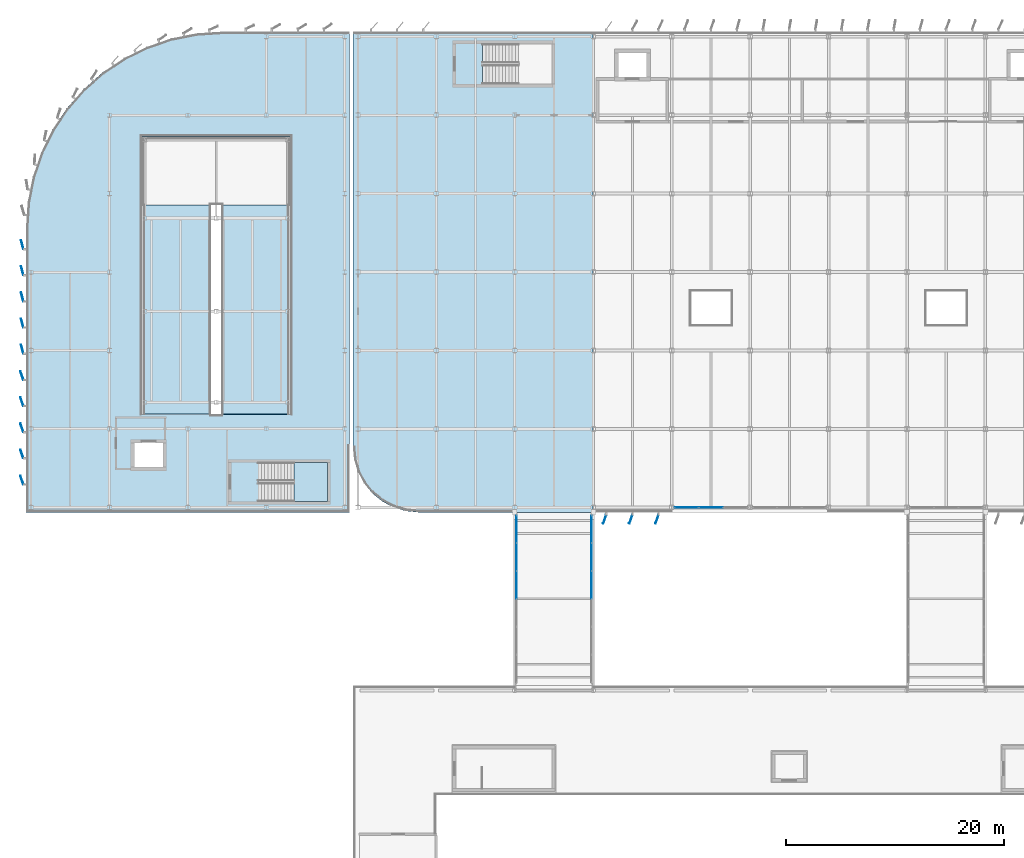
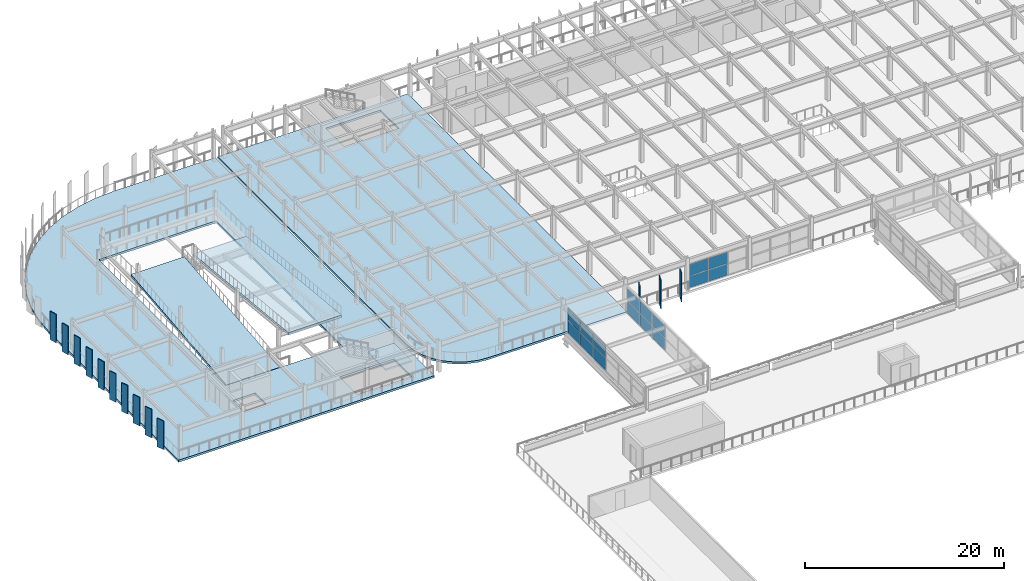
# One storey, part 51 of 93: 29 plates, 5 slabs, 4 elements without a shape of their own.
"""IFC4 building model written with IfcOpenShell, lengths in metres."""

from ifc_helpers import new_model, si_unit, direction, frame, origin, origin_2d, place, context, subcontext, project, spatial, polyline, rectangle, outline, extrude, material, layer, layer_set, type_object, element, aggregate, save


model = new_model("IFC4")

# Units and contexts
model_context = context("Model", 3, precision=1e-05, world=origin(), true_north=direction((0.0, 1.0)))
body_context = subcontext(model_context, "Body", "Model", "MODEL_VIEW")
ifc_project = project(units=[si_unit("LENGTHUNIT", "METRE"), si_unit("AREAUNIT", "SQUARE_METRE"), si_unit("VOLUMEUNIT", "CUBIC_METRE"), si_unit("PLANEANGLEUNIT", "RADIAN"), si_unit("MASSUNIT", "GRAM", prefix="KILO")], contexts=[model_context])

# Site, building, storey
site_placement = place(None, origin())
site = spatial("IfcSite", under=ifc_project, at=site_placement, CompositionType="ELEMENT")
building_placement = place(site_placement, origin())
building = spatial("IfcBuilding", under=site, at=building_placement, Name="Vaelcorin Mobility Hub", CompositionType="ELEMENT")
storey_placement = place(building_placement, frame((0.0, 0.0, 5.39990234375)))
storey = spatial("IfcBuildingStorey", under=building, at=storey_placement, Name="L01", CompositionType="ELEMENT", Elevation=5.39990234375)

# Curtain wall, plates
ifc_material_1 = material(Name="Anodised aluminium 6063-T6", Category="aluminium")
curtain_wall_type_1 = type_object("IfcCurtainWallType", Name="CW-MOB-A", PredefinedType="NOTDEFINED", material=ifc_material_1)
curtain_wall_1_placement = place(storey_placement, origin())
curtain_wall_1 = element("IfcCurtainWall", 1, at=curtain_wall_1_placement, inside=storey, type_object=curtain_wall_type_1, Name="L01 Curtain Wall CW-V4-L01-S-05", PredefinedType="NOTDEFINED")
ifc_material_2 = material(Name="Low-E solar-control insulated glazing", Category="glass")
ifc_layer_1 = layer(ifc_material_2, 0.028076171875)
ifc_layer_set_1 = layer_set([ifc_layer_1], Name="Low-E solar-control insulated glazing")
plate_type_1 = type_object("IfcPlateType", Name="CW-PAN-GLZ28", PredefinedType="CURTAIN_PANEL", material=ifc_layer_set_1)
plate_1_placement = place(storey_placement, frame((68.39990234375, 76.800048828125, 0.06005859375), z_axis=(0.0, 0.0, 1.0), x_axis=(-1.0, 0.0, 0.0)))
plate_1 = element("IfcPlate", 2, at=plate_1_placement, type_object=plate_type_1, Name="CW7 panel 2.1", PredefinedType="CURTAIN_PANEL", context=body_context, shape_type="SweptSolid", body=[
    extrude(rectangle(XDim=2.193359375, YDim=0.028076171875, at=origin_2d()), origin(), (0.0, 0.0, 1.0), 1.39599609375),
])
plate_2_placement = place(storey_placement, frame((68.39990234375, 76.800048828125, 1.51611328125), z_axis=(0.0, 0.0, 1.0), x_axis=(-1.0, 0.0, 0.0)))
plate_2 = element("IfcPlate", 3, at=plate_2_placement, type_object=plate_type_1, Name="CW7 panel 2.2", PredefinedType="CURTAIN_PANEL", context=body_context, shape_type="SweptSolid", body=[
    extrude(rectangle(XDim=2.193359375, YDim=0.028076171875, at=origin_2d()), origin(), (0.0, 0.0, 1.0), 1.39599609375),
])
plate_3_placement = place(storey_placement, frame((66.16162109375, 76.800048828125, 0.06005859375), z_axis=(0.0, 0.0, 1.0), x_axis=(-1.0, 0.0, 0.0)))
plate_3 = element("IfcPlate", 4, at=plate_3_placement, type_object=plate_type_1, Name="CW7 panel 3.1", PredefinedType="CURTAIN_PANEL", context=body_context, shape_type="SweptSolid", body=[
    extrude(rectangle(XDim=2.163330078125, YDim=0.028076171875, at=origin_2d()), origin(), (0.0, 0.0, 1.0), 1.39599609375),
])
plate_4_placement = place(storey_placement, frame((66.16162109375, 76.800048828125, 1.51611328125), z_axis=(0.0, 0.0, 1.0), x_axis=(-1.0, 0.0, 0.0)))
plate_4 = element("IfcPlate", 5, at=plate_4_placement, type_object=plate_type_1, Name="CW7 panel 3.2", PredefinedType="CURTAIN_PANEL", context=body_context, shape_type="SweptSolid", body=[
    extrude(rectangle(XDim=2.163330078125, YDim=0.028076171875, at=origin_2d()), origin(), (0.0, 0.0, 1.0), 1.39599609375),
])
aggregate(curtain_wall_1, [plate_1, plate_2, plate_3, plate_4])

curtain_wall_type_2 = type_object("IfcCurtainWallType", Name="CW-BRG-A", PredefinedType="NOTDEFINED", material=ifc_material_1)
curtain_wall_2_placement = place(storey_placement, origin())
curtain_wall_2 = element("IfcCurtainWall", 6, at=curtain_wall_2_placement, inside=storey, type_object=curtain_wall_type_2, Name="L01 Curtain Wall CW-LB1-W", PredefinedType="NOTDEFINED")
plate_5_placement = place(storey_placement, frame((50.550048828125, 69.683349609375, 0.06005859375), z_axis=(0.0, 0.0, 1.0), x_axis=(0.0, 1.0, 0.0)))
plate_5 = element("IfcPlate", 7, at=plate_5_placement, type_object=plate_type_1, Name="CW8 panel 4.1", PredefinedType="CURTAIN_PANEL", context=body_context, shape_type="SweptSolid", body=[
    extrude(rectangle(XDim=2.506591796875, YDim=0.028076171875, at=origin_2d()), origin(), (0.0, 0.0, 1.0), 1.510009765625),
])
plate_6_placement = place(storey_placement, frame((50.550048828125, 69.683349609375, 1.6298828125), z_axis=(0.0, 0.0, 1.0), x_axis=(0.0, 1.0, 0.0)))
plate_6 = element("IfcPlate", 8, at=plate_6_placement, type_object=plate_type_1, Name="CW8 panel 4.2", PredefinedType="CURTAIN_PANEL", context=body_context, shape_type="SweptSolid", body=[
    extrude(rectangle(XDim=2.506591796875, YDim=0.028076171875, at=origin_2d()), origin(), (0.0, 0.0, 1.0), 1.510009765625),
])
plate_7_placement = place(storey_placement, frame((50.550048828125, 72.25, 0.06005859375), z_axis=(0.0, 0.0, 1.0), x_axis=(0.0, 1.0, 0.0)))
plate_7 = element("IfcPlate", 9, at=plate_7_placement, type_object=plate_type_1, Name="CW8 panel 5.1", PredefinedType="CURTAIN_PANEL", context=body_context, shape_type="SweptSolid", body=[
    extrude(rectangle(XDim=2.506591796875, YDim=0.028076171875, at=origin_2d()), origin(), (0.0, 0.0, 1.0), 1.510009765625),
])
plate_8_placement = place(storey_placement, frame((50.550048828125, 72.25, 1.6298828125), z_axis=(0.0, 0.0, 1.0), x_axis=(0.0, 1.0, 0.0)))
plate_8 = element("IfcPlate", 10, at=plate_8_placement, type_object=plate_type_1, Name="CW8 panel 5.2", PredefinedType="CURTAIN_PANEL", context=body_context, shape_type="SweptSolid", body=[
    extrude(rectangle(XDim=2.506591796875, YDim=0.028076171875, at=origin_2d()), origin(), (0.0, 0.0, 1.0), 1.510009765625),
])
plate_9_placement = place(storey_placement, frame((50.550048828125, 74.8017578125, 0.06005859375), z_axis=(0.0, 0.0, 1.0), x_axis=(0.0, 1.0, 0.0)))
plate_9 = element("IfcPlate", 11, at=plate_9_placement, type_object=plate_type_1, Name="CW8 panel 6.1", PredefinedType="CURTAIN_PANEL", context=body_context, shape_type="SweptSolid", body=[
    extrude(rectangle(XDim=2.4765625, YDim=0.028076171875, at=origin_2d()), origin(), (0.0, 0.0, 1.0), 1.510009765625),
])
plate_10_placement = place(storey_placement, frame((50.550048828125, 74.8017578125, 1.6298828125), z_axis=(0.0, 0.0, 1.0), x_axis=(0.0, 1.0, 0.0)))
plate_10 = element("IfcPlate", 12, at=plate_10_placement, type_object=plate_type_1, Name="CW8 panel 6.2", PredefinedType="CURTAIN_PANEL", context=body_context, shape_type="SweptSolid", body=[
    extrude(rectangle(XDim=2.4765625, YDim=0.028076171875, at=origin_2d()), origin(), (0.0, 0.0, 1.0), 1.510009765625),
])
aggregate(curtain_wall_2, [plate_5, plate_6, plate_7, plate_8, plate_9, plate_10])

curtain_wall_3_placement = place(storey_placement, origin())
curtain_wall_3 = element("IfcCurtainWall", 13, at=curtain_wall_3_placement, inside=storey, type_object=curtain_wall_type_2, Name="L01 Curtain Wall CW-LB1-E", PredefinedType="NOTDEFINED")
plate_11_placement = place(storey_placement, frame((57.449951171875, 74.8017578125, 0.06005859375), z_axis=(0.0, 0.0, 1.0), x_axis=(0.0, -1.0, 0.0)))
plate_11 = element("IfcPlate", 14, at=plate_11_placement, type_object=plate_type_1, Name="CW8 panel 1.1", PredefinedType="CURTAIN_PANEL", context=body_context, shape_type="SweptSolid", body=[
    extrude(rectangle(XDim=2.4765625, YDim=0.028076171875, at=origin_2d()), origin(), (0.0, 0.0, 1.0), 1.510009765625),
])
plate_12_placement = place(storey_placement, frame((57.449951171875, 74.8017578125, 1.6298828125), z_axis=(0.0, 0.0, 1.0), x_axis=(0.0, -1.0, 0.0)))
plate_12 = element("IfcPlate", 15, at=plate_12_placement, type_object=plate_type_1, Name="CW8 panel 1.2", PredefinedType="CURTAIN_PANEL", context=body_context, shape_type="SweptSolid", body=[
    extrude(rectangle(XDim=2.4765625, YDim=0.028076171875, at=origin_2d()), origin(), (0.0, 0.0, 1.0), 1.510009765625),
])
plate_13_placement = place(storey_placement, frame((57.449951171875, 72.25, 0.06005859375), z_axis=(0.0, 0.0, 1.0), x_axis=(0.0, -1.0, 0.0)))
plate_13 = element("IfcPlate", 16, at=plate_13_placement, type_object=plate_type_1, Name="CW8 panel 2.1", PredefinedType="CURTAIN_PANEL", context=body_context, shape_type="SweptSolid", body=[
    extrude(rectangle(XDim=2.506591796875, YDim=0.028076171875, at=origin_2d()), origin(), (0.0, 0.0, 1.0), 1.510009765625),
])
plate_14_placement = place(storey_placement, frame((57.449951171875, 72.25, 1.6298828125), z_axis=(0.0, 0.0, 1.0), x_axis=(0.0, -1.0, 0.0)))
plate_14 = element("IfcPlate", 17, at=plate_14_placement, type_object=plate_type_1, Name="CW8 panel 2.2", PredefinedType="CURTAIN_PANEL", context=body_context, shape_type="SweptSolid", body=[
    extrude(rectangle(XDim=2.506591796875, YDim=0.028076171875, at=origin_2d()), origin(), (0.0, 0.0, 1.0), 1.510009765625),
])
plate_15_placement = place(storey_placement, frame((57.449951171875, 69.683349609375, 0.06005859375), z_axis=(0.0, 0.0, 1.0), x_axis=(0.0, -1.0, 0.0)))
plate_15 = element("IfcPlate", 18, at=plate_15_placement, type_object=plate_type_1, Name="CW8 panel 3.1", PredefinedType="CURTAIN_PANEL", context=body_context, shape_type="SweptSolid", body=[
    extrude(rectangle(XDim=2.506591796875, YDim=0.028076171875, at=origin_2d()), origin(), (0.0, 0.0, 1.0), 1.510009765625),
])
plate_16_placement = place(storey_placement, frame((57.449951171875, 69.683349609375, 1.6298828125), z_axis=(0.0, 0.0, 1.0), x_axis=(0.0, -1.0, 0.0)))
plate_16 = element("IfcPlate", 19, at=plate_16_placement, type_object=plate_type_1, Name="CW8 panel 3.2", PredefinedType="CURTAIN_PANEL", context=body_context, shape_type="SweptSolid", body=[
    extrude(rectangle(XDim=2.506591796875, YDim=0.028076171875, at=origin_2d()), origin(), (0.0, 0.0, 1.0), 1.510009765625),
])
aggregate(curtain_wall_3, [plate_11, plate_12, plate_13, plate_14, plate_15, plate_16])

# Plates
ifc_material_3 = material(Name="Perforated terracotta-bronze aluminium aerofoil", Category="masonry")
ifc_layer_2 = layer(ifc_material_3, 0.06494140625)
ifc_layer_set_2 = layer_set([ifc_layer_2], Name="Perforated terracotta-bronze aluminium aerofoil")
plate_type_2 = type_object("IfcPlateType", Name="PL-FIN-AF2", PredefinedType="SHEET", material=ifc_layer_set_2)
for number, where, z_axis, x_axis, name in (
    (20, (63.455078125, 75.7109375, -0.159912109375), (0.0, 0.0, 1.0), (-0.342020143326, -0.939692620786, 0.0), "Rotating Terracotta-Bronze Aerofoil Fin FIN-V4-L01-S-04-AF-01"),
    (21, (61.054931640625, 75.7109375, -0.159912109375), (0.0, 0.0, 1.0), (-0.342020143326, -0.939692620786, 0.0), "Rotating Terracotta-Bronze Aerofoil Fin FIN-V4-L01-S-04-AF-02"),
    (22, (58.655029296875, 75.7109375, -0.159912109375), (0.0, 0.0, 1.0), (-0.342020143326, -0.939692620786, 0.0), "Rotating Terracotta-Bronze Aerofoil Fin FIN-V4-L01-S-04-AF-03"),
):
    element("IfcPlate", number, at=place(storey_placement, frame(where, z_axis=z_axis, x_axis=x_axis)), inside=storey, type_object=plate_type_2, Name=name, PredefinedType="SHEET", context=body_context, shape_type="SweptSolid", body=[
        extrude(rectangle(XDim=0.85009765625, YDim=0.06494140625, at=origin_2d()), origin(), (0.0, 0.0, 1.0), 3.5),
    ])
ifc_layer_3 = layer(ifc_material_3, 0.070068359375)
ifc_layer_set_3 = layer_set([ifc_layer_3], Name="Perforated terracotta-bronze aluminium aerofoil")
plate_type_3 = type_object("IfcPlateType", Name="PL-FIN-AF3", PredefinedType="SHEET", material=ifc_layer_set_3)
for number, where, z_axis, x_axis, name in (
    (23, (5.1650390625, 79.299072265625, -0.159912109375), (0.0, 0.0, 1.0), (-0.342020143326, 0.939692620786, 0.0), "Rotating Terracotta-Bronze Aerofoil Fin FIN-V2W-L01-W-AF-01"),
    (24, (5.1650390625, 81.698974609375, -0.159912109375), (0.0, 0.0, 1.0), (-0.342020143326, 0.939692620786, 0.0), "Rotating Terracotta-Bronze Aerofoil Fin FIN-V2W-L01-W-AF-02"),
    (25, (5.1650390625, 84.09912109375, -0.159912109375), (0.0, 0.0, 1.0), (-0.342020143326, 0.939692620786, 0.0), "Rotating Terracotta-Bronze Aerofoil Fin FIN-V2W-L01-W-AF-03"),
    (26, (5.1650390625, 86.4990234375, -0.159912109375), (0.0, 0.0, 1.0), (-0.342020143326, 0.939692620786, 0.0), "Rotating Terracotta-Bronze Aerofoil Fin FIN-V2W-L01-W-AF-04"),
    (27, (5.1650390625, 88.89892578125, -0.159912109375), (0.0, 0.0, 1.0), (-0.342020143326, 0.939692620786, 0.0), "Rotating Terracotta-Bronze Aerofoil Fin FIN-V2W-L01-W-AF-05"),
    (28, (5.199951171875, 91.31103515625, -0.159912109375), (0.0, 0.0, 1.0), (-0.258819045103, 0.965925826289, 0.0), "Rotating Terracotta-Bronze Aerofoil Fin FIN-V2W-L01-W-AF-06"),
    (29, (5.199951171875, 93.7109375, -0.159912109375), (0.0, 0.0, 1.0), (-0.258819045103, 0.965925826289, 0.0), "Rotating Terracotta-Bronze Aerofoil Fin FIN-V2W-L01-W-AF-07"),
    (30, (5.199951171875, 96.111083984375, -0.159912109375), (0.0, 0.0, 1.0), (-0.258819045103, 0.965925826289, 0.0), "Rotating Terracotta-Bronze Aerofoil Fin FIN-V2W-L01-W-AF-08"),
    (31, (5.199951171875, 98.510986328125, -0.159912109375), (0.0, 0.0, 1.0), (-0.258819045103, 0.965925826289, 0.0), "Rotating Terracotta-Bronze Aerofoil Fin FIN-V2W-L01-W-AF-09"),
    (32, (5.199951171875, 100.910888671875, -0.159912109375), (0.0, 0.0, 1.0), (-0.258819045103, 0.965925826289, 0.0), "Rotating Terracotta-Bronze Aerofoil Fin FIN-V2W-L01-W-AF-10"),
):
    element("IfcPlate", number, at=place(storey_placement, frame(where, z_axis=z_axis, x_axis=x_axis)), inside=storey, type_object=plate_type_3, Name=name, PredefinedType="SHEET", context=body_context, shape_type="SweptSolid", body=[
        extrude(rectangle(XDim=0.85009765625, YDim=0.070068359375, at=origin_2d()), origin(), (0.0, 0.0, 1.0), 3.5),
    ])

# Stair, slab
ifc_material_4 = material(Name="Reinforced concrete f'c 45 MPa", Category="concrete")
stair_type = type_object("IfcStairType", Name="STAIR-ST1", PredefinedType="HALF_TURN_STAIR", material=ifc_material_4)
stair_placement = place(storey_placement, origin())
stair = element("IfcStair", 33, at=stair_placement, inside=storey, type_object=stair_type, Name="L01 Protected Exit Stair ST1", PredefinedType="HALF_TURN_STAIR")
ifc_layer_4 = layer(ifc_material_4, 0.199951171875)
ifc_layer_set_4 = layer_set([ifc_layer_4], Name="Reinforced concrete f'c 45 MPa")
slab_type_1 = type_object("IfcSlabType", Name="SLAB-LND-200", PredefinedType="LANDING", material=ifc_layer_set_4)
slab_1_placement = place(storey_placement, frame((0.0, 0.0, 1.75)))
slab_1 = element("IfcSlab", 34, at=slab_1_placement, type_object=slab_type_1, Name="ST1 landing 1", PredefinedType="LANDING", context=body_context, shape_type="SweptSolid", body=[
    extrude(outline(polyline([(30.14990234375, 77.35009765625), (33.199951171875, 77.35009765625), (33.199951171875, 80.909912109375), (30.14990234375, 80.909912109375), (30.14990234375, 77.35009765625)])), origin(), (0.0, 0.0, 1.0), 0.2001953125),
])
aggregate(stair, [slab_1])

# Slabs
ifc_material_5 = material(Name="Concrete f'c 35 MPa", Category="concrete")
ifc_layer_5 = layer(ifc_material_5, 0.239990234375)
ifc_layer_set_5 = layer_set([ifc_layer_5], Name="Concrete f'c 35 MPa")
slab_type_2 = type_object("IfcSlabType", Name="SLAB-PK2", PredefinedType="FLOOR", material=ifc_layer_set_5)
slab_2_placement = place(storey_placement, frame((0.0, 0.0, -0.239990234375)))
element("IfcSlab", 35, at=slab_2_placement, inside=storey, type_object=slab_type_2, Name="L01 EV Mobility Deck SL-V4-L01-Q1", PredefinedType="FLOOR", context=body_context, shape_type="SweptSolid", body=[
    extrude(outline(polyline([(40.37890625, 76.465087890625), (39.25390625, 76.806884765625), (38.217041015625, 77.361083984375), (37.306884765625, 78.10693359375), (36.56103515625, 79.01708984375), (36.007080078125, 80.053955078125), (35.6650390625, 81.178955078125), (35.550048828125, 82.35009765625), (35.550048828125, 120.449951171875), (57.60009765625, 120.449951171875), (57.60009765625, 76.35009765625), (41.550048828125, 76.35009765625), (40.37890625, 76.465087890625)]), holes=[polyline([(53.800048828125, 119.330078125), (47.455078125, 119.330078125), (47.455078125, 115.64990234375), (53.800048828125, 115.64990234375), (53.800048828125, 119.330078125)])]), origin(), (0.0, 0.0, 1.0), 0.239990234375),
])
ifc_layer_6 = layer(ifc_material_5, 0.25)
ifc_layer_set_6 = layer_set([ifc_layer_6], Name="Concrete f'c 35 MPa")
slab_type_3 = type_object("IfcSlabType", Name="SLAB-RMP", PredefinedType="FLOOR", material=ifc_layer_set_6)
slab_3_placement = place(storey_placement, frame((0.0, 0.0, -0.25)))
element("IfcSlab", 36, at=slab_3_placement, inside=storey, type_object=slab_type_3, Name="L01 V2W Ramp Transition Deck SL-V2W-L01", PredefinedType="FLOOR", context=body_context, shape_type="SweptSolid", body=[
    extrude(outline(polyline([(5.550048828125, 102.449951171875), (5.7041015625, 104.799072265625), (6.1630859375, 107.10888671875), (6.919921875, 109.337890625), (7.9619140625, 111.449951171875), (9.27001953125, 113.407958984375), (10.822021484375, 115.177978515625), (12.592041015625, 116.72998046875), (14.550048828125, 118.0380859375), (16.662109375, 119.080078125), (18.89111328125, 119.8369140625), (21.200927734375, 120.2958984375), (23.550048828125, 120.449951171875), (35.25, 120.449951171875), (35.25, 76.35009765625), (5.550048828125, 76.35009765625), (5.550048828125, 102.449951171875)]), holes=[polyline([(33.199951171875, 80.909912109375), (26.85498046875, 80.909912109375), (26.85498046875, 77.35009765625), (33.199951171875, 77.35009765625), (33.199951171875, 80.909912109375)]), polyline([(18.10009765625, 82.699951171875), (15.5, 82.699951171875), (15.5, 80.5), (18.10009765625, 80.5), (18.10009765625, 82.699951171875)]), polyline([(29.800048828125, 110.800048828125), (16.199951171875, 110.800048828125), (16.199951171875, 85.340087890625), (29.800048828125, 85.340087890625), (29.800048828125, 110.800048828125)])]), origin(), (0.0, 0.0, 1.0), 0.25),
])
ifc_layer_7 = layer(ifc_material_5, 0.280029296875)
ifc_layer_set_7 = layer_set([ifc_layer_7], Name="Concrete f'c 35 MPa")
slab_type_4 = type_object("IfcSlabType", Name="SLAB-RMP-VR1", PredefinedType="FLOOR", material=ifc_layer_set_7)
slab_4_placement = place(storey_placement, frame((16.300048828125, 85.360107421875, 0.0), z_axis=(0.0, -0.101157381421, 0.994870435878), x_axis=(1.0, 0.0, 0.0)))
element("IfcSlab", 37, at=slab_4_placement, inside=storey, type_object=slab_type_4, Name="Vehicle Ramp VR-1 Slab L01 Flight 1", PredefinedType="FLOOR", context=body_context, shape_type="SweptSolid", body=[
    extrude(outline(polyline([(0.0, 0.0), (6.199951171875, 0.0), (6.199951171875, 19.278823602490505), (0.0, 19.278823602490505), (0.0, 0.0)])), origin(), (0.0, 0.0, -1.0), 0.280029296875),
])
slab_5_placement = place(storey_placement, frame((23.5, 85.360107421875, 3.900146484375), z_axis=(0.0, 0.101144847313, 0.994871710253), x_axis=(1.0, 0.0, 0.0)))
element("IfcSlab", 38, at=slab_5_placement, inside=storey, type_object=slab_type_4, Name="Vehicle Ramp VR-1 Slab L01 Flight 2", PredefinedType="FLOOR", context=body_context, shape_type="SweptSolid", body=[
    extrude(outline(polyline([(0.0, 0.0), (6.199951171875, 0.0), (6.199951171875, 19.27879890739422), (0.0, 19.27879890739422), (0.0, 0.0)])), origin(), (0.0, 0.0, -1.0), 0.280029296875),
])

save(model, "model.ifc")
